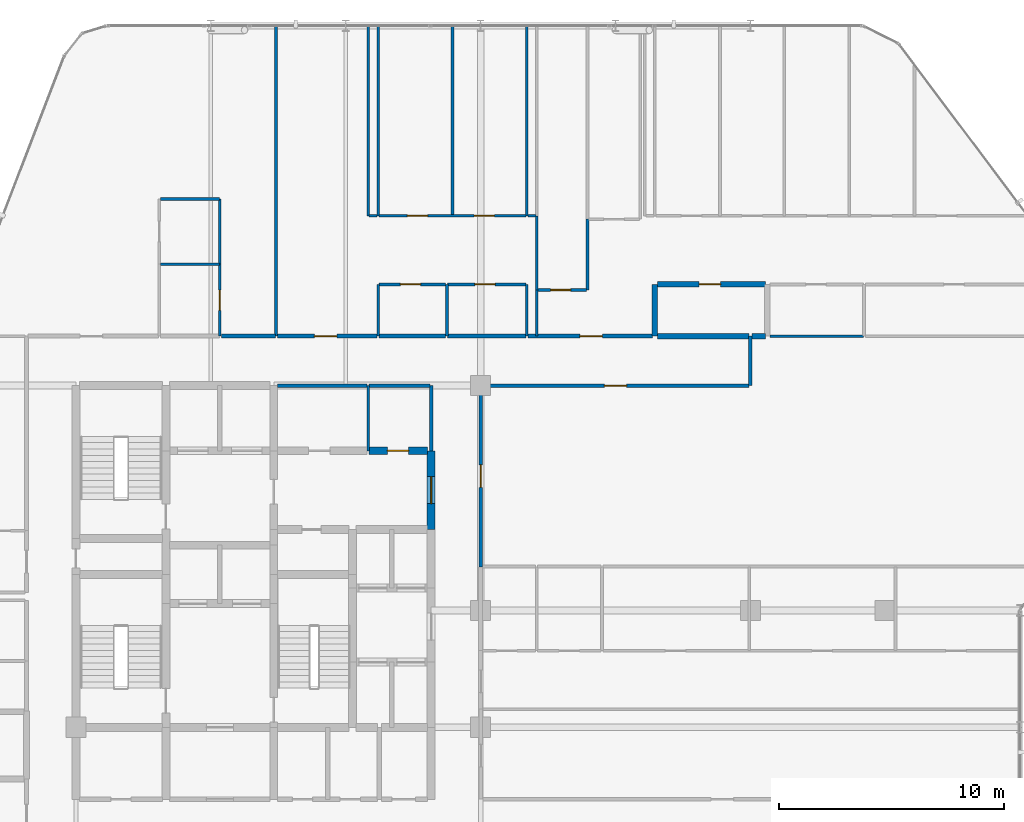
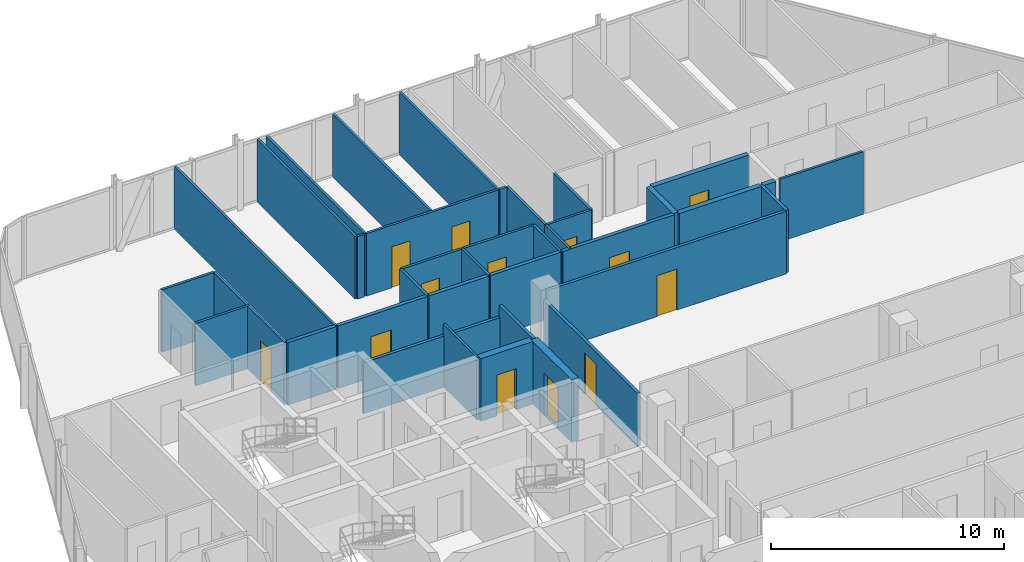
# One storey, part 29 of 31: 40 walls, 13 doors, 13 openings.
"""IFC4 building model written with IfcOpenShell, lengths in metres."""

import ifcopenshell
import ifcopenshell.guid

model = None  # the IFC model being written
_history = None  # IfcOwnerHistory: only IFC2X3 demands one
_inside = {}  # id of a spatial element -> (the spatial element, [elements in it])
_under = {}  # id of a project, library or spatial element -> (it, [spatial elements below it])
_declared = {}  # id of a project -> (the project, [libraries it declares])
_typed = {}  # id of a type object -> (the type object, [elements of that type])
_made_of = {}  # id of a material, layer set ... -> (it, [elements and type objects made of it])


def new_model(schema):
    """Start an empty IFC model of exactly this schema.

    Asked for "IFC4X3", IfcOpenShell would pick the latest addendum, in which some entities
    have other attributes; the version numbers below select the first issue.
    IFC2X3 requires an IfcOwnerHistory on every rooted entity: one is made here for all.
    """
    global model, _history
    if schema == "IFC4X3":
        model = ifcopenshell.file(schema_version=(4, 3, 0, 0))
    else:
        model = ifcopenshell.file(schema=schema)
    _inside.clear()
    _under.clear()
    _declared.clear()
    _typed.clear()
    _made_of.clear()
    _history = None
    if model.schema == "IFC2X3":
        org = make("IfcOrganization", Name="unknown")
        user = make(
            "IfcPersonAndOrganization",
            ThePerson=make("IfcPerson", FamilyName="unknown"),
            TheOrganization=org,
        )
        app = make(
            "IfcApplication",
            ApplicationDeveloper=org,
            Version="unknown",
            ApplicationFullName="unknown",
            ApplicationIdentifier="unknown",
        )
        _history = make(
            "IfcOwnerHistory",
            OwningUser=user,
            OwningApplication=app,
            ChangeAction="ADDED",
            CreationDate=0,
        )
    return model


def make(cls, **values):
    """One entity of the class cls with the attributes given. An attribute that is None is left unset."""
    return model.create_entity(
        cls, **{name: value for name, value in values.items() if value is not None}
    )


def rooted(cls, **values):
    """An entity with a GlobalId (a new one), such as an element, a storey or a relation."""
    return make(cls, GlobalId=ifcopenshell.guid.new(), OwnerHistory=_history, **values)


def si_unit(unit_type, name, prefix=None):
    """IfcSIUnit, for example si_unit("LENGTHUNIT", "METRE", prefix="MILLI")."""
    return make("IfcSIUnit", UnitType=unit_type, Prefix=prefix, Name=name)


def assignment(units):
    """IfcUnitAssignment: the units of a project."""
    return None if units is None else make("IfcUnitAssignment", Units=units)


def point(xyz):
    """IfcCartesianPoint."""
    return None if xyz is None else make("IfcCartesianPoint", Coordinates=xyz)


def direction(xyz):
    """IfcDirection."""
    return None if xyz is None else make("IfcDirection", DirectionRatios=xyz)


def frame(location, z_axis=None, x_axis=None):
    """IfcAxis2Placement3D, a coordinate frame: its origin and axes. An axis left out is left unset."""
    return make(
        "IfcAxis2Placement3D",
        Location=point(location),
        Axis=direction(z_axis),
        RefDirection=direction(x_axis),
    )


def frame_2d(location, x_axis=None):
    """IfcAxis2Placement2D, a coordinate frame in the plane: its origin and x axis."""
    return make(
        "IfcAxis2Placement2D", Location=point(location), RefDirection=direction(x_axis)
    )


def origin():
    """The frame at (0, 0, 0) with its axes left unset."""
    return frame((0.0, 0.0, 0.0))


def place(relative_to, where):
    """IfcLocalPlacement: puts the frame where relative to a parent placement (None: the world)."""
    return make(
        "IfcLocalPlacement", PlacementRelTo=relative_to, RelativePlacement=where
    )


def context(
    kind, dimensions, precision=None, world=None, true_north=None, identifier=None
):
    """IfcGeometricRepresentationContext, for example the 3D "Model" context."""
    return make(
        "IfcGeometricRepresentationContext",
        ContextIdentifier=identifier,
        ContextType=kind,
        CoordinateSpaceDimension=dimensions,
        Precision=precision,
        WorldCoordinateSystem=world,
        TrueNorth=true_north,
    )


def subcontext(parent, identifier, kind, view, scale=None):
    """IfcGeometricRepresentationSubContext, for example "Body" below "Model"."""
    return make(
        "IfcGeometricRepresentationSubContext",
        ContextIdentifier=identifier,
        ContextType=kind,
        ParentContext=parent,
        TargetScale=scale,
        TargetView=view,
    )


def project(units=None, contexts=None):
    """IfcProject with its units and contexts."""
    return rooted(
        "IfcProject",
        Name="project",
        RepresentationContexts=contexts,
        UnitsInContext=assignment(units),
    )


def spatial(cls, under=None, at=None, **own):
    """A site, building, storey or space (cls), placed at a placement, below another one or the project."""
    s = rooted(cls, ObjectPlacement=at, **own)
    if under is not None:
        _under.setdefault(under.id(), (under, []))[1].append(s)
    return s


def profile(cls, at=None, kind="AREA", **sizes):
    """A parametric profile (cls). Its sizes go by their IFC names, for example OverallWidth=200.0."""
    return make(cls, ProfileType=kind, Position=at, **sizes)


def rectangle(**sizes):
    """IfcRectangleProfileDef."""
    return profile("IfcRectangleProfileDef", **sizes)


def extrude(swept, where, along, depth):
    """IfcExtrudedAreaSolid: the profile swept, set in the frame where, extruded along a direction by depth."""
    return make(
        "IfcExtrudedAreaSolid",
        SweptArea=swept,
        Position=where,
        ExtrudedDirection=direction(along),
        Depth=depth,
    )


def shape(context_of_items, identifier, shape_type, items):
    """IfcShapeRepresentation: the items that make up one representation, for example the "Body"."""
    return make(
        "IfcShapeRepresentation",
        ContextOfItems=context_of_items,
        RepresentationIdentifier=identifier,
        RepresentationType=shape_type,
        Items=items,
    )


def material(Name=None, Category=None):
    """IfcMaterial."""
    return make("IfcMaterial", Name=Name, Category=Category)


def layer(
    of_material, thickness, ventilated=None, Name=None, Category=None, Priority=None
):
    """IfcMaterialLayer: one layer of a wall or slab, of a material (None: an air gap)."""
    return make(
        "IfcMaterialLayer",
        Material=of_material,
        LayerThickness=thickness,
        IsVentilated=ventilated,
        Name=Name,
        Category=Category,
        Priority=Priority,
    )


def layer_set(layers, Name=None):
    """IfcMaterialLayerSet."""
    return make("IfcMaterialLayerSet", MaterialLayers=layers, LayerSetName=Name)


def made_of(thing, what):
    """Note that an element or type object is made of a material, layer set ...; save() writes the relation."""
    if what is not None:
        _made_of.setdefault(what.id(), (what, []))[1].append(thing)
    return thing


def type_object(cls, material=None, **own):
    """A type object (cls), such as IfcWallType, which elements share."""
    return made_of(rooted(cls, **own), material)


def element(
    cls,
    number,
    at=None,
    inside=None,
    cuts=None,
    type_object=None,
    material=None,
    context=None,
    identifier="Body",
    shape_type=None,
    held_by="IfcProductDefinitionShape",
    body=None,
    shapes=None,
    **own,
):
    """One element of the class cls, such as IfcWall. Its Tag is "e" and its number.

    at: its placement. inside: the storey or other place that contains it. cuts: it is an
    opening in that element (IfcRelVoidsElement). A single representation is given by context,
    identifier, shape_type and body (its items); several are given by shapes. held_by: the class
    of the entity that holds the representations. save() writes the other relations.
    """
    e = rooted(cls, Tag="e%d" % number, ObjectPlacement=at, **own)
    if body is not None:
        shapes = [shape(context, identifier, shape_type, body)]
    if shapes is not None:
        e.Representation = make(held_by, Representations=shapes)
    if inside is not None:
        _inside.setdefault(inside.id(), (inside, []))[1].append(e)
    if cuts is not None:
        rooted(
            "IfcRelVoidsElement", RelatingBuildingElement=cuts, RelatedOpeningElement=e
        )
    if type_object is not None:
        _typed.setdefault(type_object.id(), (type_object, []))[1].append(e)
    return made_of(e, material)


def fill(opening, filler):
    """IfcRelFillsElement: the door or window that sits in an opening."""
    return rooted(
        "IfcRelFillsElement",
        RelatingOpeningElement=opening,
        RelatedBuildingElement=filler,
    )


def aggregate(whole, parts):
    """IfcRelAggregates: a whole, such as a stair, and the parts it consists of."""
    return rooted("IfcRelAggregates", RelatingObject=whole, RelatedObjects=parts)


def save(model, path):
    """Write the relations noted so far, then the file.

    IfcRelAggregates (storeys below a building ...), IfcRelContainedInSpatialStructure (elements
    in a storey), IfcRelDefinesByType, IfcRelAssociatesMaterial and IfcRelDeclares: one each for
    every whole, place, type object, material and project.
    """
    for whole, parts in _under.values():
        aggregate(whole, parts)
    for where, things in _inside.values():
        rooted(
            "IfcRelContainedInSpatialStructure",
            RelatedElements=things,
            RelatingStructure=where,
        )
    for kind, things in _typed.values():
        rooted("IfcRelDefinesByType", RelatedObjects=things, RelatingType=kind)
    for what, things in _made_of.values():
        rooted("IfcRelAssociatesMaterial", RelatedObjects=things, RelatingMaterial=what)
    for by, libraries in _declared.values():
        rooted("IfcRelDeclares", RelatingContext=by, RelatedDefinitions=libraries)
    model.write(path)


model = new_model("IFC4")

# Units and contexts
model_context = context("Model", 3, precision=1e-05, world=origin(), true_north=direction((0.0, 1.0)))
body_context = subcontext(model_context, "Body", "Model", "MODEL_VIEW")
ifc_project = project(units=[si_unit("LENGTHUNIT", "METRE"), si_unit("AREAUNIT", "SQUARE_METRE"), si_unit("VOLUMEUNIT", "CUBIC_METRE"), si_unit("PLANEANGLEUNIT", "RADIAN"), si_unit("MASSUNIT", "GRAM", prefix="KILO")], contexts=[model_context])

# Site, building, storey
site_placement = place(None, origin())
site = spatial("IfcSite", under=ifc_project, at=site_placement, CompositionType="ELEMENT")
building_placement = place(site_placement, origin())
building = spatial("IfcBuilding", under=site, at=building_placement, Name="Keshet Zoharim Tower", CompositionType="ELEMENT")
storey_placement = place(building_placement, frame((0.0, 0.0, 155.699951171875)))
storey = spatial("IfcBuildingStorey", under=building, at=storey_placement, Name="L38", CompositionType="ELEMENT", Elevation=155.699951171875)

# Wall
ifc_material_1 = material(Name="Gypsum Plasterboard", Category="gypsum")
ifc_layer_1 = layer(ifc_material_1, 0.14990234375)
ifc_layer_set_1 = layer_set([ifc_layer_1], Name="Gypsum Plasterboard")
wall_type_1 = type_object("IfcWallType", Name="WL-CLIN-150", PredefinedType="STANDARD", material=ifc_layer_set_1)
wall_1_placement = place(storey_placement, frame((30.800048828125, 35.0, 0.0), z_axis=(0.0, 0.0, 1.0), x_axis=(0.0, 1.0, 0.0)))
element("IfcWall", 1, at=wall_1_placement, inside=storey, type_object=wall_type_1, Name="L38 Interior Wall 060", PredefinedType="STANDARD", context=body_context, shape_type="SweptSolid", body=[
    extrude(rectangle(XDim=2.89990234375, YDim=0.14990234375, at=frame_2d((1.449951171875, 0.0))), origin(), (0.0, 0.0, 1.0), 3.280029296875),
])

# Wall, opening, door
wall_2_placement = place(storey_placement, frame((33.0, 29.840087890625, 0.0), z_axis=(0.0, 0.0, 1.0), x_axis=(0.0, 1.0, 0.0)))
wall_2 = element("IfcWall", 2, at=wall_2_placement, inside=storey, type_object=wall_type_1, Name="L38 Interior Wall 067", PredefinedType="STANDARD", context=body_context, shape_type="SweptSolid", body=[
    extrude(rectangle(XDim=8.059814453125, YDim=0.14990234375, at=frame_2d((4.02978515625, 0.0))), origin(), (0.0, 0.0, 1.0), 2.780029296875),
])
opening_1_placement = place(wall_2_placement, frame((3.530029296875, 0.0, 0.0)))
opening_1 = element("IfcOpeningElement", 3, at=opening_1_placement, cuts=wall_2, Name="Opening D-F310", PredefinedType="OPENING", context=body_context, shape_type="SweptSolid", body=[
    extrude(rectangle(XDim=1.0, YDim=2.14990234375, at=frame_2d((0.5, 1.074951171875))), frame((0.0, 0.0849609375, 0.0), z_axis=(0.0, -1.0, 0.0), x_axis=(1.0, 0.0, 0.0)), (0.0, 0.0, 1.0), 0.169921875),
])
ifc_material_2 = material(Name="Hardwood Timber", Category="wood")
door_type_1 = type_object("IfcDoorType", Name="DR-FD30-100", OperationType="NOTDEFINED", PredefinedType="DOOR", material=ifc_material_2)
door_1_placement = place(opening_1_placement, origin())
door_1 = element("IfcDoor", 4, at=door_1_placement, inside=storey, type_object=door_type_1, Name="L38 North East Residents Services Suite Door 2", OperationType="SINGLE_SWING_LEFT", OverallHeight=2.14990234375, OverallWidth=1.0, PredefinedType="DOOR", context=body_context, shape_type="SweptSolid", body=[
    extrude(rectangle(XDim=1.0, YDim=2.14990234375, at=frame_2d((0.5, 1.074951171875))), frame((0.0, 0.02490234375, 0.0), z_axis=(0.0, -1.0, 0.0), x_axis=(1.0, 0.0, 0.0)), (0.0, 0.0, 1.0), 0.050048828125),
])
fill(opening_1, door_1)

# Walls
wall_3_placement = place(storey_placement, frame((45.0, 37.89990234375, 0.0), z_axis=(0.0, 0.0, 1.0), x_axis=(0.0, 1.0, 0.0)))
element("IfcWall", 5, at=wall_3_placement, inside=storey, type_object=wall_type_1, Name="L38 Interior Wall 093", PredefinedType="STANDARD", context=body_context, shape_type="SweptSolid", body=[
    extrude(rectangle(XDim=2.2001953125, YDim=0.14990234375, at=frame_2d((1.10009765625, 0.0))), origin(), (0.0, 0.0, 1.0), 3.280029296875),
])
wall_4_placement = place(storey_placement, frame((23.9599609375, 37.89990234375, 0.0), z_axis=(0.0, 0.0, 1.0), x_axis=(1.0, 0.0, 0.0)))
element("IfcWall", 6, at=wall_4_placement, inside=storey, type_object=wall_type_1, Name="L38 Interior Wall 180", PredefinedType="STANDARD", context=body_context, shape_type="SweptSolid", body=[
    extrude(rectangle(XDim=3.9951171875, YDim=0.14990234375, at=frame_2d((1.99755859375, 0.0))), origin(), (0.0, 0.0, 1.0), 2.679931640625),
])
wall_5_placement = place(storey_placement, frame((28.044921875, 37.89990234375, 0.0), z_axis=(0.0, 0.0, 1.0), x_axis=(1.0, 0.0, 0.0)))
element("IfcWall", 7, at=wall_5_placement, inside=storey, type_object=wall_type_1, Name="L38 Interior Wall 181", PredefinedType="STANDARD", context=body_context, shape_type="SweptSolid", body=[
    extrude(rectangle(XDim=2.695068359375, YDim=0.14990234375, at=frame_2d((1.34765625, 0.0))), origin(), (0.0, 0.0, 1.0), 2.679931640625),
])

# Wall, opening, door
wall_6_placement = place(storey_placement, frame((33.06005859375, 37.89990234375, 0.0), z_axis=(0.0, 0.0, 1.0), x_axis=(1.0, 0.0, 0.0)))
wall_6 = element("IfcWall", 8, at=wall_6_placement, inside=storey, type_object=wall_type_1, Name="L38 Interior Wall 182", PredefinedType="STANDARD", context=body_context, shape_type="SweptSolid", body=[
    extrude(rectangle(XDim=11.87890625, YDim=0.14990234375, at=frame_2d((5.939453125, 0.0))), origin(), (0.0, 0.0, 1.0), 3.280029296875),
])
opening_2_placement = place(wall_6_placement, frame((5.43896484375, 0.0, 0.0)))
opening_2 = element("IfcOpeningElement", 9, at=opening_2_placement, cuts=wall_6, Name="Opening D-F310", PredefinedType="OPENING", context=body_context, shape_type="SweptSolid", body=[
    extrude(rectangle(XDim=1.0, YDim=2.14990234375, at=frame_2d((0.5, 1.074951171875))), frame((0.0, 0.0849609375, 0.0), z_axis=(0.0, -1.0, 0.0), x_axis=(1.0, 0.0, 0.0)), (0.0, 0.0, 1.0), 0.169921875),
])
door_2_placement = place(opening_2_placement, origin())
door_2 = element("IfcDoor", 10, at=door_2_placement, inside=storey, type_object=door_type_1, Name="L38 North East Residents Services Suite Door 1", OperationType="SINGLE_SWING_RIGHT", OverallHeight=2.14990234375, OverallWidth=1.0, PredefinedType="DOOR", context=body_context, shape_type="SweptSolid", body=[
    extrude(rectangle(XDim=1.0, YDim=2.14990234375, at=frame_2d((0.5, 1.074951171875))), frame((0.0, 0.02490234375, 0.0), z_axis=(0.0, -1.0, 0.0), x_axis=(1.0, 0.0, 0.0)), (0.0, 0.0, 1.0), 0.050048828125),
])
fill(opening_2, door_2)

ifc_material_3 = material(Name="Concrete C60/75", Category="concrete")
ifc_layer_2 = layer(ifc_material_3, 0.35009765625)
ifc_layer_set_2 = layer_set([ifc_layer_2], Name="Concrete C60/75")
wall_type_2 = type_object("IfcWallType", Name="WL-CORE-350", PredefinedType="SHEAR", material=ifc_layer_set_2)
wall_7_placement = place(storey_placement, frame((30.800048828125, 31.5, 0.0), z_axis=(0.0, 0.0, 1.0), x_axis=(0.0, 1.0, 0.0)))
wall_7 = element("IfcWall", 11, at=wall_7_placement, inside=storey, type_object=wall_type_2, Name="L38 Core Shear Wall 059", PredefinedType="SHEAR", context=body_context, shape_type="SweptSolid", body=[
    extrude(rectangle(XDim=3.5, YDim=0.35009765625, at=frame_2d((1.75, 0.0))), origin(), (0.0, 0.0, 1.0), 3.280029296875),
])
opening_3_placement = place(wall_7_placement, frame((1.14990234375, 0.0, 0.0)))
opening_3 = element("IfcOpeningElement", 12, at=opening_3_placement, cuts=wall_7, Name="Opening D-F612", PredefinedType="OPENING", context=body_context, shape_type="SweptSolid", body=[
    extrude(rectangle(XDim=1.199951171875, YDim=2.199951171875, at=frame_2d((0.60009765625, 1.10009765625))), frame((0.0, 0.18505859375, 0.0), z_axis=(0.0, -1.0, 0.0), x_axis=(1.0, 0.0, 0.0)), (0.0, 0.0, 1.0), 0.3701171875),
])
door_type_2 = type_object("IfcDoorType", Name="DR-FD60-120", OperationType="NOTDEFINED", PredefinedType="DOOR", material=ifc_material_2)
door_3_placement = place(opening_3_placement, origin())
door_3 = element("IfcDoor", 13, at=door_3_placement, inside=storey, type_object=door_type_2, Name="L38 North Lift Lobby East Fire Door", OperationType="SINGLE_SWING_RIGHT", OverallHeight=2.199951171875, OverallWidth=1.199951171875, PredefinedType="DOOR", context=body_context, shape_type="SweptSolid", body=[
    extrude(rectangle(XDim=1.199951171875, YDim=2.199951171875, at=frame_2d((0.60009765625, 1.10009765625))), frame((0.0, 0.02490234375, 0.0), z_axis=(0.0, -1.0, 0.0), x_axis=(1.0, 0.0, 0.0)), (0.0, 0.0, 1.0), 0.050048828125),
])
fill(opening_3, door_3)

wall_8_placement = place(storey_placement, frame((28.044921875, 35.0, 0.0), z_axis=(0.0, 0.0, 1.0), x_axis=(1.0, 0.0, 0.0)))
wall_8 = element("IfcWall", 14, at=wall_8_placement, inside=storey, type_object=wall_type_2, Name="L38 Core Shear Wall 177", PredefinedType="SHEAR", context=body_context, shape_type="SweptSolid", body=[
    extrude(rectangle(XDim=2.594970703125, YDim=0.35009765625, at=frame_2d((1.29736328125, 0.0))), origin(), (0.0, 0.0, 1.0), 3.280029296875),
])
opening_4_placement = place(wall_8_placement, frame((0.805908203125, 0.0, 0.0)))
opening_4 = element("IfcOpeningElement", 15, at=opening_4_placement, cuts=wall_8, Name="Opening D-F695", PredefinedType="OPENING", context=body_context, shape_type="SweptSolid", body=[
    extrude(rectangle(XDim=0.949951171875, YDim=2.14990234375, at=frame_2d((0.47509765625, 1.074951171875))), frame((0.0, 0.18505859375, 0.0), z_axis=(0.0, -1.0, 0.0), x_axis=(1.0, 0.0, 0.0)), (0.0, 0.0, 1.0), 0.3701171875),
])
door_type_3 = type_object("IfcDoorType", Name="DR-FD60-095", OperationType="NOTDEFINED", PredefinedType="DOOR", material=ifc_material_2)
door_4_placement = place(opening_4_placement, frame((0.949951171875, 0.0, 0.0), z_axis=(0.0, 0.0, 1.0), x_axis=(-1.0, 0.0, 0.0)))
door_4 = element("IfcDoor", 16, at=door_4_placement, inside=storey, type_object=door_type_3, Name="L38 Quiet Study Room Door", OperationType="SINGLE_SWING_LEFT", OverallHeight=2.14990234375, OverallWidth=0.949951171875, PredefinedType="DOOR", context=body_context, shape_type="SweptSolid", body=[
    extrude(rectangle(XDim=0.949951171875, YDim=2.14990234375, at=frame_2d((0.47509765625, 1.074951171875))), frame((0.0, 0.02490234375, 0.0), z_axis=(0.0, -1.0, 0.0), x_axis=(1.0, 0.0, 0.0)), (0.0, 0.0, 1.0), 0.050048828125),
])
fill(opening_4, door_4)

# Wall
ifc_layer_3 = layer(ifc_material_1, 0.179931640625)
ifc_layer_set_3 = layer_set([ifc_layer_3], Name="Gypsum Plasterboard")
wall_type_3 = type_object("IfcWallType", Name="WL-CORR-180", PredefinedType="STANDARD", material=ifc_layer_set_3)
wall_9_placement = place(storey_placement, frame((21.465087890625, 40.10009765625, 0.0), z_axis=(0.0, 0.0, 1.0), x_axis=(1.0, 0.0, 0.0)))
element("IfcWall", 17, at=wall_9_placement, inside=storey, type_object=wall_type_3, Name="L38 Interior Wall 187", PredefinedType="STANDARD", context=body_context, shape_type="SweptSolid", body=[
    extrude(rectangle(XDim=2.409912109375, YDim=0.179931640625, at=frame_2d((1.205078125, 0.0))), origin(), (0.0, 0.0, 1.0), 3.280029296875),
])

# Wall, opening, door
wall_10_placement = place(storey_placement, frame((23.965087890625, 40.10009765625, 0.0), z_axis=(0.0, 0.0, 1.0), x_axis=(1.0, 0.0, 0.0)))
wall_10 = element("IfcWall", 18, at=wall_10_placement, inside=storey, type_object=wall_type_3, Name="L38 Interior Wall 188", PredefinedType="STANDARD", context=body_context, shape_type="SweptSolid", body=[
    extrude(rectangle(XDim=4.419921875, YDim=0.179931640625, at=frame_2d((2.2099609375, 0.0))), origin(), (0.0, 0.0, 1.0), 3.280029296875),
])
opening_5_placement = place(wall_10_placement, frame((1.637939453125, 0.0, 0.0)))
opening_5 = element("IfcOpeningElement", 19, at=opening_5_placement, cuts=wall_10, Name="Opening D-F310", PredefinedType="OPENING", context=body_context, shape_type="SweptSolid", body=[
    extrude(rectangle(XDim=1.0, YDim=2.14990234375, at=frame_2d((0.5, 1.074951171875))), frame((0.0, 0.10009765625, 0.0), z_axis=(0.0, -1.0, 0.0), x_axis=(1.0, 0.0, 0.0)), (0.0, 0.0, 1.0), 0.199951171875),
])
door_5_placement = place(opening_5_placement, origin())
door_5 = element("IfcDoor", 20, at=door_5_placement, inside=storey, type_object=door_type_1, Name="Apartment 3806 Entrance Door", OperationType="SINGLE_SWING_RIGHT", OverallHeight=2.14990234375, OverallWidth=1.0, PredefinedType="DOOR", context=body_context, shape_type="SweptSolid", body=[
    extrude(rectangle(XDim=1.0, YDim=2.14990234375, at=frame_2d((0.5, 1.074951171875))), frame((0.0, 0.02490234375, 0.0), z_axis=(0.0, -1.0, 0.0), x_axis=(1.0, 0.0, 0.0)), (0.0, 0.0, 1.0), 0.050048828125),
])
fill(opening_5, door_5)

# Walls
wall_11_placement = place(storey_placement, frame((28.47509765625, 40.10009765625, 0.0), z_axis=(0.0, 0.0, 1.0), x_axis=(1.0, 0.0, 0.0)))
element("IfcWall", 21, at=wall_11_placement, inside=storey, type_object=wall_type_3, Name="L38 Interior Wall 189", PredefinedType="STANDARD", context=body_context, shape_type="SweptSolid", body=[
    extrude(rectangle(XDim=2.9599609375, YDim=0.179931640625, at=frame_2d((1.47998046875, 0.0))), origin(), (0.0, 0.0, 1.0), 3.280029296875),
])
wall_12_placement = place(storey_placement, frame((31.52490234375, 40.10009765625, 0.0), z_axis=(0.0, 0.0, 1.0), x_axis=(1.0, 0.0, 0.0)))
element("IfcWall", 22, at=wall_12_placement, inside=storey, type_object=wall_type_3, Name="L38 Interior Wall 190", PredefinedType="STANDARD", context=body_context, shape_type="SweptSolid", body=[
    extrude(rectangle(XDim=3.489990234375, YDim=0.179931640625, at=frame_2d((1.7451171875, 0.0))), origin(), (0.0, 0.0, 1.0), 3.280029296875),
])

# Wall, opening, door
wall_13_placement = place(storey_placement, frame((35.10498046875, 40.10009765625, 0.0), z_axis=(0.0, 0.0, 1.0), x_axis=(1.0, 0.0, 0.0)))
wall_13 = element("IfcWall", 23, at=wall_13_placement, inside=storey, type_object=wall_type_3, Name="L38 Interior Wall 191", PredefinedType="STANDARD", context=body_context, shape_type="SweptSolid", body=[
    extrude(rectangle(XDim=5.544921875, YDim=0.179931640625, at=frame_2d((2.7724609375, 0.0))), origin(), (0.0, 0.0, 1.0), 3.280029296875),
])
opening_6_placement = place(wall_13_placement, frame((2.304931640625, 0.0, 0.0)))
opening_6 = element("IfcOpeningElement", 24, at=opening_6_placement, cuts=wall_13, Name="Opening D-F310", PredefinedType="OPENING", context=body_context, shape_type="SweptSolid", body=[
    extrude(rectangle(XDim=1.0, YDim=2.14990234375, at=frame_2d((0.5, 1.074951171875))), frame((0.0, 0.10009765625, 0.0), z_axis=(0.0, -1.0, 0.0), x_axis=(1.0, 0.0, 0.0)), (0.0, 0.0, 1.0), 0.199951171875),
])
door_6_placement = place(opening_6_placement, origin())
door_6 = element("IfcDoor", 25, at=door_6_placement, inside=storey, type_object=door_type_1, Name="Apartment 3807 Entrance Door", OperationType="SINGLE_SWING_LEFT", OverallHeight=2.14990234375, OverallWidth=1.0, PredefinedType="DOOR", context=body_context, shape_type="SweptSolid", body=[
    extrude(rectangle(XDim=1.0, YDim=2.14990234375, at=frame_2d((0.5, 1.074951171875))), frame((0.0, 0.02490234375, 0.0), z_axis=(0.0, -1.0, 0.0), x_axis=(1.0, 0.0, 0.0)), (0.0, 0.0, 1.0), 0.050048828125),
])
fill(opening_6, door_6)

# Walls
ifc_material_4 = material(Name="Concrete C50/60", Category="concrete")
ifc_layer_4 = layer(ifc_material_4, 0.25)
ifc_layer_set_4 = layer_set([ifc_layer_4], Name="Concrete C50/60")
wall_type_4 = type_object("IfcWallType", Name="WL-MAMAD-250", PredefinedType="STANDARD", material=ifc_layer_set_4)
wall_14_placement = place(storey_placement, frame((40.75, 40.10009765625, 0.0), z_axis=(0.0, 0.0, 1.0), x_axis=(0.0, 1.0, 0.0)))
element("IfcWall", 26, at=wall_14_placement, inside=storey, type_object=wall_type_4, Name="L38 Interior Wall 086", PredefinedType="STANDARD", context=body_context, shape_type="SweptSolid", body=[
    extrude(rectangle(XDim=2.2998046875, YDim=0.25, at=frame_2d((1.14990234375, 0.0))), origin(), (0.0, 0.0, 1.0), 3.280029296875),
])
wall_15_placement = place(storey_placement, frame((40.8701171875, 40.10009765625, 0.0), z_axis=(0.0, 0.0, 1.0), x_axis=(1.0, 0.0, 0.0)))
element("IfcWall", 27, at=wall_15_placement, inside=storey, type_object=wall_type_4, Name="L38 Interior Wall 192", PredefinedType="STANDARD", context=body_context, shape_type="SweptSolid", body=[
    extrude(rectangle(XDim=4.06982421875, YDim=0.25, at=frame_2d((2.034912109375, 0.0))), origin(), (0.0, 0.0, 1.0), 3.280029296875),
])
wall_16_placement = place(storey_placement, frame((45.06005859375, 40.10009765625, 0.0), z_axis=(0.0, 0.0, 1.0), x_axis=(1.0, 0.0, 0.0)))
element("IfcWall", 28, at=wall_16_placement, inside=storey, type_object=wall_type_4, Name="L38 Interior Wall 193", PredefinedType="STANDARD", context=body_context, shape_type="SweptSolid", body=[
    extrude(rectangle(XDim=0.600830078125, YDim=0.25, at=frame_2d((0.30029296875, 0.0))), origin(), (0.0, 0.0, 1.0), 3.280029296875),
])

# Wall, opening, door
wall_17_placement = place(storey_placement, frame((40.8701171875, 42.39990234375, 0.0), z_axis=(0.0, 0.0, 1.0), x_axis=(1.0, 0.0, 0.0)))
wall_17 = element("IfcWall", 29, at=wall_17_placement, inside=storey, type_object=wall_type_4, Name="L38 Interior Wall 200", PredefinedType="STANDARD", context=body_context, shape_type="SweptSolid", body=[
    extrude(rectangle(XDim=4.790771484375, YDim=0.25, at=frame_2d((2.3955078125, 0.0))), origin(), (0.0, 0.0, 1.0), 3.280029296875),
])
opening_7_placement = place(wall_17_placement, frame((1.84912109375, 0.0, 0.0)))
opening_7 = element("IfcOpeningElement", 30, at=opening_7_placement, cuts=wall_17, Name="Opening D-F695", PredefinedType="OPENING", context=body_context, shape_type="SweptSolid", body=[
    extrude(rectangle(XDim=0.949951171875, YDim=2.14990234375, at=frame_2d((0.47509765625, 1.074951171875))), frame((0.0, 0.135009765625, 0.0), z_axis=(0.0, -1.0, 0.0), x_axis=(1.0, 0.0, 0.0)), (0.0, 0.0, 1.0), 0.27001953125),
])
door_7_placement = place(opening_7_placement, origin())
door_7 = element("IfcDoor", 31, at=door_7_placement, inside=storey, type_object=door_type_3, Name="Apartment 3807 Study and Shelter Room Door", OperationType="SINGLE_SWING_LEFT", OverallHeight=2.14990234375, OverallWidth=0.949951171875, PredefinedType="DOOR", context=body_context, shape_type="SweptSolid", body=[
    extrude(rectangle(XDim=0.949951171875, YDim=2.14990234375, at=frame_2d((0.47509765625, 1.074951171875))), frame((0.0, 0.02490234375, 0.0), z_axis=(0.0, -1.0, 0.0), x_axis=(1.0, 0.0, 0.0)), (0.0, 0.0, 1.0), 0.050048828125),
])
fill(opening_7, door_7)

ifc_layer_5 = layer(ifc_material_1, 0.1201171875)
ifc_layer_set_5 = layer_set([ifc_layer_5], Name="Gypsum Plasterboard")
wall_type_5 = type_object("IfcWallType", Name="WL-PART-120", PredefinedType="PARTITIONING", material=ifc_layer_set_5)
wall_18_placement = place(storey_placement, frame((21.39990234375, 40.10009765625, 0.0), z_axis=(0.0, 0.0, 1.0), x_axis=(0.0, 1.0, 0.0)))
wall_18 = element("IfcWall", 32, at=wall_18_placement, inside=storey, type_object=wall_type_5, Name="L38 Interior Wall 031", PredefinedType="PARTITIONING", context=body_context, shape_type="SweptSolid", body=[
    extrude(rectangle(XDim=3.199951171875, YDim=0.1201171875, at=frame_2d((1.60009765625, 0.0))), origin(), (0.0, 0.0, 1.0), 3.280029296875),
])
opening_8_placement = place(wall_18_placement, frame((1.14990234375, 0.0, 0.0)))
opening_8 = element("IfcOpeningElement", 33, at=opening_8_placement, cuts=wall_18, Name="Opening D-IN90", PredefinedType="OPENING", context=body_context, shape_type="SweptSolid", body=[
    extrude(rectangle(XDim=0.89990234375, YDim=2.14990234375, at=frame_2d((0.449951171875, 1.074951171875))), frame((0.0, 0.070068359375, 0.0), z_axis=(0.0, -1.0, 0.0), x_axis=(1.0, 0.0, 0.0)), (0.0, 0.0, 1.0), 0.14013671875),
])
door_type_4 = type_object("IfcDoorType", Name="DR-INT-090", OperationType="NOTDEFINED", PredefinedType="DOOR", material=ifc_material_2)
door_8_placement = place(opening_8_placement, origin())
door_8 = element("IfcDoor", 34, at=door_8_placement, inside=storey, type_object=door_type_4, Name="Apartment 3805 Kitchenette Door", OperationType="SINGLE_SWING_RIGHT", OverallHeight=2.14990234375, OverallWidth=0.89990234375, PredefinedType="DOOR", context=body_context, shape_type="SweptSolid", body=[
    extrude(rectangle(XDim=0.89990234375, YDim=2.14990234375, at=frame_2d((0.449951171875, 1.074951171875))), frame((0.0, 0.02490234375, 0.0), z_axis=(0.0, -1.0, 0.0), x_axis=(1.0, 0.0, 0.0)), (0.0, 0.0, 1.0), 0.050048828125),
])
fill(opening_8, door_8)

# Walls
wall_19_placement = place(storey_placement, frame((23.89990234375, 40.10009765625, 0.0), z_axis=(0.0, 0.0, 1.0), x_axis=(0.0, 1.0, 0.0)))
element("IfcWall", 35, at=wall_19_placement, inside=storey, type_object=wall_type_5, Name="L38 Interior Wall 040", PredefinedType="PARTITIONING", context=body_context, shape_type="SweptSolid", body=[
    extrude(rectangle(XDim=13.789794921875, YDim=0.1201171875, at=frame_2d((6.89501953125, 0.0))), origin(), (0.0, 0.0, 1.0), 3.280029296875),
])
wall_20_placement = place(storey_placement, frame((28.0, 35.0, 0.0), z_axis=(0.0, 0.0, 1.0), x_axis=(0.0, 1.0, 0.0)))
element("IfcWall", 36, at=wall_20_placement, inside=storey, type_object=wall_type_5, Name="L38 Interior Wall 047", PredefinedType="PARTITIONING", context=body_context, shape_type="SweptSolid", body=[
    extrude(rectangle(XDim=2.89990234375, YDim=0.1201171875, at=frame_2d((1.449951171875, 0.0))), origin(), (0.0, 0.0, 1.0), 3.280029296875),
])
wall_21_placement = place(storey_placement, frame((28.0, 45.449951171875, 0.0), z_axis=(0.0, 0.0, 1.0), x_axis=(0.0, 1.0, 0.0)))
element("IfcWall", 37, at=wall_21_placement, inside=storey, type_object=wall_type_5, Name="L38 Interior Wall 048", PredefinedType="PARTITIONING", context=body_context, shape_type="SweptSolid", body=[
    extrude(rectangle(XDim=8.43994140625, YDim=0.1201171875, at=frame_2d((4.219970703125, 0.0))), origin(), (0.0, 0.0, 1.0), 3.280029296875),
])
wall_22_placement = place(storey_placement, frame((28.449951171875, 40.10009765625, 0.0), z_axis=(0.0, 0.0, 1.0), x_axis=(0.0, 1.0, 0.0)))
element("IfcWall", 38, at=wall_22_placement, inside=storey, type_object=wall_type_5, Name="L38 Interior Wall 049", PredefinedType="PARTITIONING", context=body_context, shape_type="SweptSolid", body=[
    extrude(rectangle(XDim=2.2998046875, YDim=0.1201171875, at=frame_2d((1.14990234375, 0.0))), origin(), (0.0, 0.0, 1.0), 3.280029296875),
])
for number, where, z_axis, x_axis, name in (
    (39, (28.449951171875, 45.449951171875, 0.0), (0.0, 0.0, 1.0), (0.0, 1.0, 0.0), "L38 Interior Wall 050"),
    (40, (31.75, 45.449951171875, 0.0), (0.0, 0.0, 1.0), (0.0, 1.0, 0.0), "L38 Interior Wall 062"),
    (41, (35.050048828125, 45.449951171875, 0.0), (0.0, 0.0, 1.0), (0.0, 1.0, 0.0), "L38 Interior Wall 071"),
):
    element("IfcWall", number, at=place(storey_placement, frame(where, z_axis=z_axis, x_axis=x_axis)), inside=storey, type_object=wall_type_5, Name=name, PredefinedType="PARTITIONING", context=body_context, shape_type="SweptSolid", body=[
        extrude(rectangle(XDim=8.43994140625, YDim=0.1201171875, at=frame_2d((4.219970703125, 0.0))), origin(), (0.0, 0.0, 1.0), 3.280029296875),
    ])
wall_23_placement = place(storey_placement, frame((35.5, 40.10009765625, 0.0), z_axis=(0.0, 0.0, 1.0), x_axis=(0.0, 1.0, 0.0)))
element("IfcWall", 42, at=wall_23_placement, inside=storey, type_object=wall_type_5, Name="L38 Interior Wall 073", PredefinedType="PARTITIONING", context=body_context, shape_type="SweptSolid", body=[
    extrude(rectangle(XDim=2.0498046875, YDim=0.1201171875, at=frame_2d((1.02490234375, 0.0))), origin(), (0.0, 0.0, 1.0), 3.280029296875),
])
wall_24_placement = place(storey_placement, frame((35.5, 42.14990234375, 0.0), z_axis=(0.0, 0.0, 1.0), x_axis=(0.0, 1.0, 0.0)))
element("IfcWall", 43, at=wall_24_placement, inside=storey, type_object=wall_type_5, Name="L38 Interior Wall 074", PredefinedType="PARTITIONING", context=body_context, shape_type="SweptSolid", body=[
    extrude(rectangle(XDim=3.300048828125, YDim=0.1201171875, at=frame_2d((1.64990234375, 0.0))), origin(), (0.0, 0.0, 1.0), 3.280029296875),
])
wall_25_placement = place(storey_placement, frame((37.75, 42.14990234375, 0.0), z_axis=(0.0, 0.0, 1.0), x_axis=(0.0, 1.0, 0.0)))
element("IfcWall", 44, at=wall_25_placement, inside=storey, type_object=wall_type_5, Name="L38 Interior Wall 078", PredefinedType="PARTITIONING", context=body_context, shape_type="SweptSolid", body=[
    extrude(rectangle(XDim=3.150146484375, YDim=0.1201171875, at=frame_2d((1.5751953125, 0.0))), origin(), (0.0, 0.0, 1.0), 3.280029296875),
])

# Wall, opening, door
wall_26_placement = place(storey_placement, frame((35.554931640625, 42.14990234375, 0.0), z_axis=(0.0, 0.0, 1.0), x_axis=(1.0, 0.0, 0.0)))
wall_26 = element("IfcWall", 45, at=wall_26_placement, inside=storey, type_object=wall_type_5, Name="L38 Interior Wall 197", PredefinedType="PARTITIONING", context=body_context, shape_type="SweptSolid", body=[
    extrude(rectangle(XDim=2.16015625, YDim=0.1201171875, at=frame_2d((1.080078125, 0.0))), origin(), (0.0, 0.0, 1.0), 3.280029296875),
])
opening_9_placement = place(wall_26_placement, frame((0.552978515625, 0.0, 0.0)))
opening_9 = element("IfcOpeningElement", 46, at=opening_9_placement, cuts=wall_26, Name="Opening D-IN90", PredefinedType="OPENING", context=body_context, shape_type="SweptSolid", body=[
    extrude(rectangle(XDim=0.89990234375, YDim=2.14990234375, at=frame_2d((0.449951171875, 1.074951171875))), frame((0.0, 0.070068359375, 0.0), z_axis=(0.0, -1.0, 0.0), x_axis=(1.0, 0.0, 0.0)), (0.0, 0.0, 1.0), 0.14013671875),
])
door_9_placement = place(opening_9_placement, origin())
door_9 = element("IfcDoor", 47, at=door_9_placement, inside=storey, type_object=door_type_4, Name="Apartment 3807 Formal Dining Room Door", OperationType="SINGLE_SWING_RIGHT", OverallHeight=2.14990234375, OverallWidth=0.89990234375, PredefinedType="DOOR", context=body_context, shape_type="SweptSolid", body=[
    extrude(rectangle(XDim=0.89990234375, YDim=2.14990234375, at=frame_2d((0.449951171875, 1.074951171875))), frame((0.0, 0.02490234375, 0.0), z_axis=(0.0, -1.0, 0.0), x_axis=(1.0, 0.0, 0.0)), (0.0, 0.0, 1.0), 0.050048828125),
])
fill(opening_9, door_9)

wall_27_placement = place(storey_placement, frame((28.47509765625, 42.39990234375, 0.0), z_axis=(0.0, 0.0, 1.0), x_axis=(1.0, 0.0, 0.0)))
wall_27 = element("IfcWall", 48, at=wall_27_placement, inside=storey, type_object=wall_type_5, Name="L38 Interior Wall 198", PredefinedType="PARTITIONING", context=body_context, shape_type="SweptSolid", body=[
    extrude(rectangle(XDim=2.9599609375, YDim=0.1201171875, at=frame_2d((1.47998046875, 0.0))), origin(), (0.0, 0.0, 1.0), 3.280029296875),
])
opening_10_placement = place(wall_27_placement, frame((0.9560546875, 0.0, 0.0)))
opening_10 = element("IfcOpeningElement", 49, at=opening_10_placement, cuts=wall_27, Name="Opening D-IN90", PredefinedType="OPENING", context=body_context, shape_type="SweptSolid", body=[
    extrude(rectangle(XDim=0.89990234375, YDim=2.14990234375, at=frame_2d((0.449951171875, 1.074951171875))), frame((0.0, 0.070068359375, 0.0), z_axis=(0.0, -1.0, 0.0), x_axis=(1.0, 0.0, 0.0)), (0.0, 0.0, 1.0), 0.14013671875),
])
door_10_placement = place(opening_10_placement, origin())
door_10 = element("IfcDoor", 50, at=door_10_placement, inside=storey, type_object=door_type_4, Name="Apartment 3806 Kitchen Door", OperationType="SINGLE_SWING_LEFT", OverallHeight=2.14990234375, OverallWidth=0.89990234375, PredefinedType="DOOR", context=body_context, shape_type="SweptSolid", body=[
    extrude(rectangle(XDim=0.89990234375, YDim=2.14990234375, at=frame_2d((0.449951171875, 1.074951171875))), frame((0.0, 0.02490234375, 0.0), z_axis=(0.0, -1.0, 0.0), x_axis=(1.0, 0.0, 0.0)), (0.0, 0.0, 1.0), 0.050048828125),
])
fill(opening_10, door_10)

# Wall
wall_28_placement = place(storey_placement, frame((28.02490234375, 45.449951171875, 0.0), z_axis=(0.0, 0.0, 1.0), x_axis=(1.0, 0.0, 0.0)))
element("IfcWall", 51, at=wall_28_placement, inside=storey, type_object=wall_type_5, Name="L38 Interior Wall 205", PredefinedType="PARTITIONING", context=body_context, shape_type="SweptSolid", body=[
    extrude(rectangle(XDim=0.360107421875, YDim=0.1201171875, at=frame_2d((0.18017578125, 0.0))), origin(), (0.0, 0.0, 1.0), 3.280029296875),
])

# Wall, openings, doors
wall_29_placement = place(storey_placement, frame((28.47509765625, 45.449951171875, 0.0), z_axis=(0.0, 0.0, 1.0), x_axis=(1.0, 0.0, 0.0)))
wall_29 = element("IfcWall", 52, at=wall_29_placement, inside=storey, type_object=wall_type_5, Name="L38 Interior Wall 206", PredefinedType="PARTITIONING", context=body_context, shape_type="SweptSolid", body=[
    extrude(rectangle(XDim=6.539794921875, YDim=0.1201171875, at=frame_2d((3.27001953125, 0.0))), origin(), (0.0, 0.0, 1.0), 3.280029296875),
])
opening_11_placement = place(wall_29_placement, frame((1.26611328125, 0.0, 0.0)))
opening_11 = element("IfcOpeningElement", 53, at=opening_11_placement, cuts=wall_29, Name="Opening D-IN90", PredefinedType="OPENING", context=body_context, shape_type="SweptSolid", body=[
    extrude(rectangle(XDim=0.89990234375, YDim=2.14990234375, at=frame_2d((0.449951171875, 1.074951171875))), frame((0.0, 0.070068359375, 0.0), z_axis=(0.0, -1.0, 0.0), x_axis=(1.0, 0.0, 0.0)), (0.0, 0.0, 1.0), 0.14013671875),
])
opening_12_placement = place(wall_29_placement, frame((4.23095703125, 0.0, 0.0)))
opening_12 = element("IfcOpeningElement", 54, at=opening_12_placement, cuts=wall_29, Name="Opening D-IN90", PredefinedType="OPENING", context=body_context, shape_type="SweptSolid", body=[
    extrude(rectangle(XDim=0.89990234375, YDim=2.14990234375, at=frame_2d((0.449951171875, 1.074951171875))), frame((0.0, 0.070068359375, 0.0), z_axis=(0.0, -1.0, 0.0), x_axis=(1.0, 0.0, 0.0)), (0.0, 0.0, 1.0), 0.14013671875),
])
door_11_placement = place(opening_11_placement, origin())
door_11 = element("IfcDoor", 55, at=door_11_placement, inside=storey, type_object=door_type_4, Name="Apartment 3806 Bedroom 1 Door", OperationType="SINGLE_SWING_LEFT", OverallHeight=2.14990234375, OverallWidth=0.89990234375, PredefinedType="DOOR", context=body_context, shape_type="SweptSolid", body=[
    extrude(rectangle(XDim=0.89990234375, YDim=2.14990234375, at=frame_2d((0.449951171875, 1.074951171875))), frame((0.0, 0.02490234375, 0.0), z_axis=(0.0, -1.0, 0.0), x_axis=(1.0, 0.0, 0.0)), (0.0, 0.0, 1.0), 0.050048828125),
])
fill(opening_11, door_11)
door_12_placement = place(opening_12_placement, origin())
door_12 = element("IfcDoor", 56, at=door_12_placement, inside=storey, type_object=door_type_4, Name="Apartment 3806 Bedroom 2 Door", OperationType="SINGLE_SWING_RIGHT", OverallHeight=2.14990234375, OverallWidth=0.89990234375, PredefinedType="DOOR", context=body_context, shape_type="SweptSolid", body=[
    extrude(rectangle(XDim=0.89990234375, YDim=2.14990234375, at=frame_2d((0.449951171875, 1.074951171875))), frame((0.0, 0.02490234375, 0.0), z_axis=(0.0, -1.0, 0.0), x_axis=(1.0, 0.0, 0.0)), (0.0, 0.0, 1.0), 0.050048828125),
])
fill(opening_12, door_12)

# Walls
wall_30_placement = place(storey_placement, frame((35.10498046875, 45.449951171875, 0.0), z_axis=(0.0, 0.0, 1.0), x_axis=(1.0, 0.0, 0.0)))
element("IfcWall", 57, at=wall_30_placement, inside=storey, type_object=wall_type_5, Name="L38 Interior Wall 207", PredefinedType="PARTITIONING", context=body_context, shape_type="SweptSolid", body=[
    extrude(rectangle(XDim=0.360107421875, YDim=0.1201171875, at=frame_2d((0.18017578125, 0.0))), origin(), (0.0, 0.0, 1.0), 3.280029296875),
])
ifc_layer_6 = layer(ifc_material_1, 0.1201171875)
ifc_layer_set_6 = layer_set([ifc_layer_6], Name="Gypsum Plasterboard")
wall_type_6 = type_object("IfcWallType", Name="WL-WET-120", PredefinedType="PARTITIONING", material=ifc_layer_set_6)
wall_31_placement = place(storey_placement, frame((21.39990234375, 43.300048828125, 0.0), z_axis=(0.0, 0.0, 1.0), x_axis=(0.0, 1.0, 0.0)))
element("IfcWall", 58, at=wall_31_placement, inside=storey, type_object=wall_type_6, Name="L38 Interior Wall 032", PredefinedType="PARTITIONING", context=body_context, shape_type="SweptSolid", body=[
    extrude(rectangle(XDim=2.89990234375, YDim=0.1201171875, at=frame_2d((1.449951171875, 0.0))), origin(), (0.0, 0.0, 1.0), 3.280029296875),
])
for number, where, z_axis, x_axis, name in (
    (59, (31.5, 40.10009765625, 0.0), (0.0, 0.0, 1.0), (0.0, 1.0, 0.0), "L38 Interior Wall 061"),
    (60, (35.050048828125, 40.10009765625, 0.0), (0.0, 0.0, 1.0), (0.0, 1.0, 0.0), "L38 Interior Wall 070"),
):
    element("IfcWall", number, at=place(storey_placement, frame(where, z_axis=z_axis, x_axis=x_axis)), inside=storey, type_object=wall_type_6, Name=name, PredefinedType="PARTITIONING", context=body_context, shape_type="SweptSolid", body=[
        extrude(rectangle(XDim=2.2998046875, YDim=0.1201171875, at=frame_2d((1.14990234375, 0.0))), origin(), (0.0, 0.0, 1.0), 3.280029296875),
    ])
wall_32_placement = place(storey_placement, frame((45.881103515625, 40.10009765625, 0.0), z_axis=(0.0, 0.0, 1.0), x_axis=(1.0, 0.0, 0.0)))
element("IfcWall", 61, at=wall_32_placement, inside=storey, type_object=wall_type_6, Name="L38 Interior Wall 194", PredefinedType="PARTITIONING", context=body_context, shape_type="SweptSolid", body=[
    extrude(rectangle(XDim=4.144775390625, YDim=0.1201171875, at=frame_2d((2.072265625, 0.0))), origin(), (0.0, 0.0, 1.0), 3.280029296875),
])

# Wall, opening, door
wall_33_placement = place(storey_placement, frame((31.52490234375, 42.39990234375, 0.0), z_axis=(0.0, 0.0, 1.0), x_axis=(1.0, 0.0, 0.0)))
wall_33 = element("IfcWall", 62, at=wall_33_placement, inside=storey, type_object=wall_type_6, Name="L38 Interior Wall 199", PredefinedType="PARTITIONING", context=body_context, shape_type="SweptSolid", body=[
    extrude(rectangle(XDim=3.489990234375, YDim=0.1201171875, at=frame_2d((1.7451171875, 0.0))), origin(), (0.0, 0.0, 1.0), 3.280029296875),
])
opening_13_placement = place(wall_33_placement, frame((1.222900390625, 0.0, 0.0)))
opening_13 = element("IfcOpeningElement", 63, at=opening_13_placement, cuts=wall_33, Name="Opening D-WT90", PredefinedType="OPENING", context=body_context, shape_type="SweptSolid", body=[
    extrude(rectangle(XDim=0.89990234375, YDim=2.10009765625, at=frame_2d((0.449951171875, 1.050048828125))), frame((0.0, 0.070068359375, 0.0), z_axis=(0.0, -1.0, 0.0), x_axis=(1.0, 0.0, 0.0)), (0.0, 0.0, 1.0), 0.14013671875),
])
door_type_5 = type_object("IfcDoorType", Name="DR-WET-090", OperationType="NOTDEFINED", PredefinedType="DOOR", material=ifc_material_2)
door_13_placement = place(opening_13_placement, origin())
door_13 = element("IfcDoor", 64, at=door_13_placement, inside=storey, type_object=door_type_5, Name="Apartment 3806 Bathroom Door", OperationType="SINGLE_SWING_RIGHT", OverallHeight=2.10009765625, OverallWidth=0.89990234375, PredefinedType="DOOR", context=body_context, shape_type="SweptSolid", body=[
    extrude(rectangle(XDim=0.89990234375, YDim=2.10009765625, at=frame_2d((0.449951171875, 1.050048828125))), frame((0.0, 0.02490234375, 0.0), z_axis=(0.0, -1.0, 0.0), x_axis=(1.0, 0.0, 0.0)), (0.0, 0.0, 1.0), 0.050048828125),
])
fill(opening_13, door_13)

# Walls
for number, where, z_axis, x_axis, name in (
    (65, (18.764892578125, 43.300048828125, 0.0), (0.0, 0.0, 1.0), (1.0, 0.0, 0.0), "L38 Interior Wall 203"),
    (66, (18.764892578125, 46.199951171875, 0.0), (0.0, 0.0, 1.0), (1.0, 0.0, 0.0), "L38 Interior Wall 210"),
):
    element("IfcWall", number, at=place(storey_placement, frame(where, z_axis=z_axis, x_axis=x_axis)), inside=storey, type_object=wall_type_6, Name=name, PredefinedType="PARTITIONING", context=body_context, shape_type="SweptSolid", body=[
        extrude(rectangle(XDim=2.610107421875, YDim=0.1201171875, at=frame_2d((1.30517578125, 0.0))), origin(), (0.0, 0.0, 1.0), 3.280029296875),
    ])

save(model, "model.ifc")
